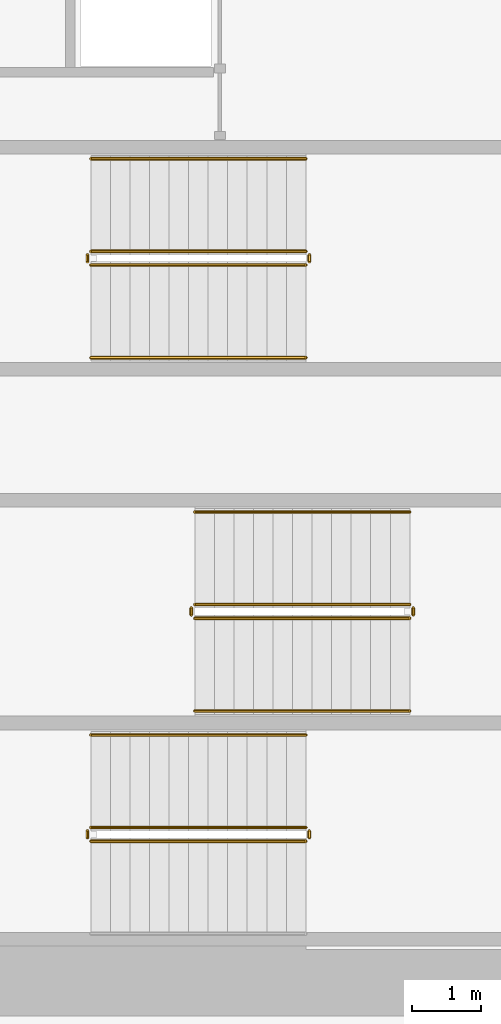
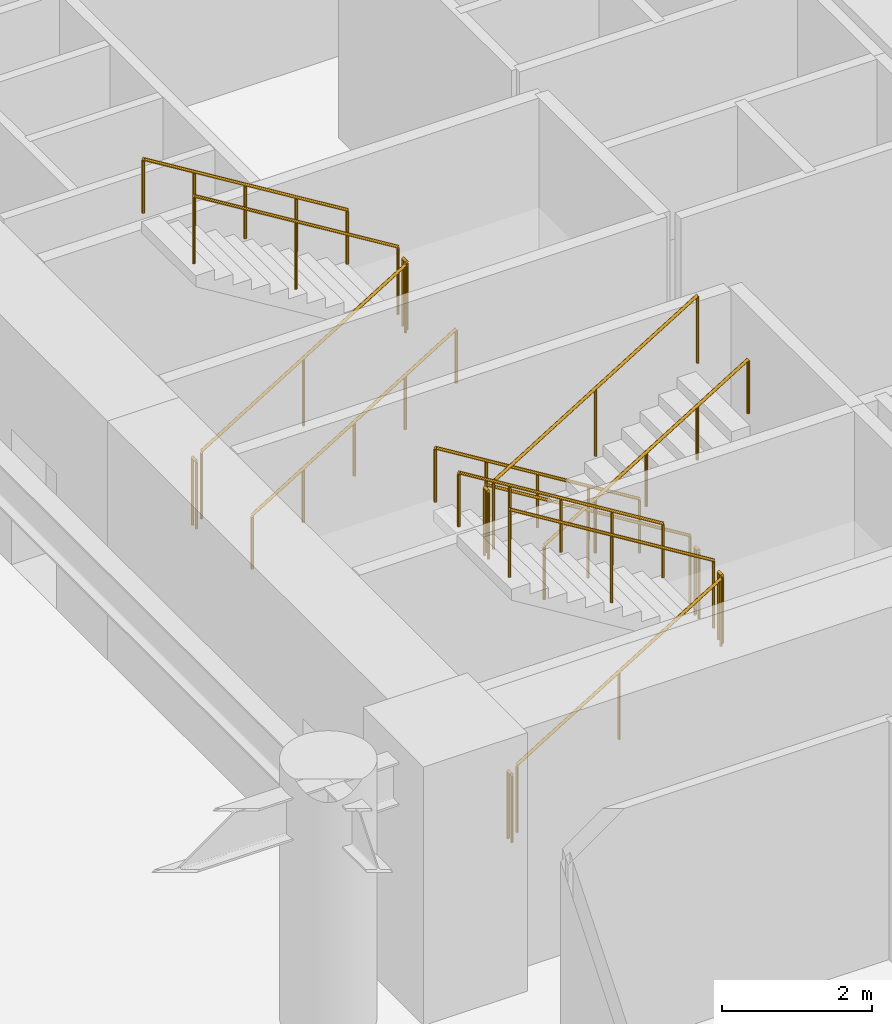
# One storey, part 22 of 25: 17 railings.
"""IFC4 building model written with IfcOpenShell, lengths in metres."""

from ifc_helpers import new_model, si_unit, direction, frame, origin, origin_2d, place, context, subcontext, project, spatial, circle, extrude, material, type_object, element, save


model = new_model("IFC4")

# Units and contexts
model_context = context("Model", 3, precision=1e-05, world=origin(), true_north=direction((0.0, 1.0)))
body_context = subcontext(model_context, "Body", "Model", "MODEL_VIEW")
ifc_project = project(units=[si_unit("LENGTHUNIT", "METRE"), si_unit("AREAUNIT", "SQUARE_METRE"), si_unit("VOLUMEUNIT", "CUBIC_METRE"), si_unit("PLANEANGLEUNIT", "RADIAN"), si_unit("MASSUNIT", "GRAM", prefix="KILO")], contexts=[model_context])

# Site, building, storey
site_placement = place(None, origin())
site = spatial("IfcSite", under=ifc_project, at=site_placement, CompositionType="ELEMENT")
building_placement = place(site_placement, origin())
building = spatial("IfcBuilding", under=site, at=building_placement, Name="Narakoshi Arena Tower", CompositionType="ELEMENT")
storey_placement = place(building_placement, frame((0.0, 0.0, 9.0)))
storey = spatial("IfcBuildingStorey", under=building, at=storey_placement, Name="L02", CompositionType="ELEMENT", Elevation=9.0)

# Railings
ifc_material_1 = material(Name="Clear low-iron laminated structural glass", Category="glass")
railing_type_1 = type_object("IfcRailingType", Name="RL-BAL-1100", PredefinedType="BALUSTRADE", material=ifc_material_1)
railing_1_placement = place(storey_placement, frame((74.39990234375, 36.949951171875, 0.175048828125)))
element("IfcRailing", 1, at=railing_1_placement, inside=storey, type_object=railing_type_1, Name="L02 ST1 stair guard 1", PredefinedType="BALUSTRADE", context=body_context, shape_type="SweptSolid", body=[
    extrude(circle(Radius=0.02392578125, at=origin_2d()), frame((0.0, 0.0, 1.09619140625), z_axis=(0.852166034122, 0.0, 0.523271488128), x_axis=(0.0, 1.0, 0.0)), (0.0, 0.0, 1.0), 3.678955078125),
    extrude(circle(Radius=0.02099609375, at=origin_2d()), origin(), (0.0, 0.0, 1.0), 1.072021484375),
    extrude(circle(Radius=0.02099609375, at=origin_2d()), frame((1.5673828125, 0.0, 0.96240234375)), (0.0, 0.0, 1.0), 1.072021484375),
    extrude(circle(Radius=0.02099609375, at=origin_2d()), frame((3.135009765625, 0.0, 1.925048828125)), (0.0, 0.0, 1.0), 1.072021484375),
])
railing_2_placement = place(storey_placement, frame((77.5849609375, 37.0, 2.10009765625)))
element("IfcRailing", 2, at=railing_2_placement, inside=storey, type_object=railing_type_1, Name="L02 ST1 stair guard 2", PredefinedType="BALUSTRADE", context=body_context, shape_type="SweptSolid", body=[
    extrude(circle(Radius=0.02392578125, at=origin_2d()), frame((0.0, 0.0, 1.09619140625), z_axis=(0.0, 1.0, 0.0), x_axis=(-1.0, 0.0, 0.0)), (0.0, 0.0, 1.0), 0.10009765625),
    extrude(circle(Radius=0.02099609375, at=origin_2d()), origin(), (0.0, 0.0, 1.0), 1.072021484375),
    extrude(circle(Radius=0.02099609375, at=origin_2d()), frame((0.0, 0.10009765625, 0.0)), (0.0, 0.0, 1.0), 1.072021484375),
])
railing_3_placement = place(storey_placement, frame((77.534912109375, 37.14990234375, 2.27490234375)))
element("IfcRailing", 3, at=railing_3_placement, inside=storey, type_object=railing_type_1, Name="L02 ST1 stair guard 3", PredefinedType="BALUSTRADE", context=body_context, shape_type="SweptSolid", body=[
    extrude(circle(Radius=0.02392578125, at=origin_2d()), frame((0.0, 0.0, 1.09619140625), z_axis=(-0.852166034122, 0.0, 0.523271488128), x_axis=(0.0, -1.0, 0.0)), (0.0, 0.0, 1.0), 3.678955078125),
    extrude(circle(Radius=0.02099609375, at=origin_2d()), origin(), (0.0, 0.0, 1.0), 1.072021484375),
    extrude(circle(Radius=0.02099609375, at=origin_2d()), frame((-1.5673828125, 0.0, 0.96240234375)), (0.0, 0.0, 1.0), 1.072021484375),
    extrude(circle(Radius=0.02099609375, at=origin_2d()), frame((-3.135009765625, 0.0, 1.925048828125)), (0.0, 0.0, 1.0), 1.072021484375),
])
railing_4_placement = place(storey_placement, frame((74.35009765625, 37.0, 0.0)))
element("IfcRailing", 4, at=railing_4_placement, inside=storey, type_object=railing_type_1, Name="L02 ST1 stair guard 4", PredefinedType="BALUSTRADE", context=body_context, shape_type="SweptSolid", body=[
    extrude(circle(Radius=0.02392578125, at=origin_2d()), frame((0.0, 0.0, 1.09619140625), z_axis=(0.0, 1.0, 0.0), x_axis=(-1.0, 0.0, 0.0)), (0.0, 0.0, 1.0), 0.10009765625),
    extrude(circle(Radius=0.02099609375, at=origin_2d()), origin(), (0.0, 0.0, 1.0), 1.072021484375),
    extrude(circle(Radius=0.02099609375, at=origin_2d()), frame((0.0, 0.10009765625, 0.0)), (0.0, 0.0, 1.0), 1.072021484375),
])
railing_5_placement = place(storey_placement, frame((79.050048828125, 40.39990234375, 0.175048828125)))
element("IfcRailing", 5, at=railing_5_placement, inside=storey, type_object=railing_type_1, Name="L02 ST2 stair guard 1", PredefinedType="BALUSTRADE", context=body_context, shape_type="SweptSolid", body=[
    extrude(circle(Radius=0.02392578125, at=origin_2d()), frame((0.0, 0.0, 1.09619140625), z_axis=(-0.852166034122, 0.0, 0.523271488128), x_axis=(0.0, -1.0, 0.0)), (0.0, 0.0, 1.0), 3.678955078125),
    extrude(circle(Radius=0.02099609375, at=origin_2d()), origin(), (0.0, 0.0, 1.0), 1.072021484375),
    extrude(circle(Radius=0.02099609375, at=origin_2d()), frame((-1.5673828125, 0.0, 0.96240234375)), (0.0, 0.0, 1.0), 1.072021484375),
    extrude(circle(Radius=0.02099609375, at=origin_2d()), frame((-3.135009765625, 0.0, 1.925048828125)), (0.0, 0.0, 1.0), 1.072021484375),
])
railing_6_placement = place(storey_placement, frame((75.864990234375, 40.35009765625, 2.10009765625)))
element("IfcRailing", 6, at=railing_6_placement, inside=storey, type_object=railing_type_1, Name="L02 ST2 stair guard 2", PredefinedType="BALUSTRADE", context=body_context, shape_type="SweptSolid", body=[
    extrude(circle(Radius=0.02392578125, at=origin_2d()), frame((0.0, 0.0, 1.09619140625), z_axis=(0.0, -1.0, 0.0), x_axis=(1.0, 0.0, 0.0)), (0.0, 0.0, 1.0), 0.10009765625),
    extrude(circle(Radius=0.02099609375, at=origin_2d()), origin(), (0.0, 0.0, 1.0), 1.072021484375),
    extrude(circle(Radius=0.02099609375, at=origin_2d()), frame((0.0, -0.10009765625, 0.0)), (0.0, 0.0, 1.0), 1.072021484375),
])
railing_7_placement = place(storey_placement, frame((75.9150390625, 40.199951171875, 2.27490234375)))
element("IfcRailing", 7, at=railing_7_placement, inside=storey, type_object=railing_type_1, Name="L02 ST2 stair guard 3", PredefinedType="BALUSTRADE", context=body_context, shape_type="SweptSolid", body=[
    extrude(circle(Radius=0.02392578125, at=origin_2d()), frame((0.0, 0.0, 1.09619140625), z_axis=(0.852166034122, 0.0, 0.523271488128), x_axis=(0.0, 1.0, 0.0)), (0.0, 0.0, 1.0), 3.678955078125),
    extrude(circle(Radius=0.02099609375, at=origin_2d()), origin(), (0.0, 0.0, 1.0), 1.072021484375),
    extrude(circle(Radius=0.02099609375, at=origin_2d()), frame((1.5673828125, 0.0, 0.96240234375)), (0.0, 0.0, 1.0), 1.072021484375),
    extrude(circle(Radius=0.02099609375, at=origin_2d()), frame((3.135009765625, 0.0, 1.925048828125)), (0.0, 0.0, 1.0), 1.072021484375),
])
railing_8_placement = place(storey_placement, frame((79.10009765625, 40.35009765625, 0.0)))
element("IfcRailing", 8, at=railing_8_placement, inside=storey, type_object=railing_type_1, Name="L02 ST2 stair guard 4", PredefinedType="BALUSTRADE", context=body_context, shape_type="SweptSolid", body=[
    extrude(circle(Radius=0.02392578125, at=origin_2d()), frame((0.0, 0.0, 1.09619140625), z_axis=(0.0, -1.0, 0.0), x_axis=(1.0, 0.0, 0.0)), (0.0, 0.0, 1.0), 0.10009765625),
    extrude(circle(Radius=0.02099609375, at=origin_2d()), origin(), (0.0, 0.0, 1.0), 1.072021484375),
    extrude(circle(Radius=0.02099609375, at=origin_2d()), frame((0.0, -0.10009765625, 0.0)), (0.0, 0.0, 1.0), 1.072021484375),
])
railing_9_placement = place(storey_placement, frame((74.39990234375, 45.35009765625, 0.175048828125)))
element("IfcRailing", 9, at=railing_9_placement, inside=storey, type_object=railing_type_1, Name="L02 ST3 stair guard 1", PredefinedType="BALUSTRADE", context=body_context, shape_type="SweptSolid", body=[
    extrude(circle(Radius=0.02392578125, at=origin_2d()), frame((0.0, 0.0, 1.09619140625), z_axis=(0.852166034122, 0.0, 0.523271488128), x_axis=(0.0, 1.0, 0.0)), (0.0, 0.0, 1.0), 3.678955078125),
    extrude(circle(Radius=0.02099609375, at=origin_2d()), origin(), (0.0, 0.0, 1.0), 1.072021484375),
    extrude(circle(Radius=0.02099609375, at=origin_2d()), frame((1.5673828125, 0.0, 0.96240234375)), (0.0, 0.0, 1.0), 1.072021484375),
    extrude(circle(Radius=0.02099609375, at=origin_2d()), frame((3.135009765625, 0.0, 1.925048828125)), (0.0, 0.0, 1.0), 1.072021484375),
])
railing_10_placement = place(storey_placement, frame((77.5849609375, 45.39990234375, 2.10009765625)))
element("IfcRailing", 10, at=railing_10_placement, inside=storey, type_object=railing_type_1, Name="L02 ST3 stair guard 2", PredefinedType="BALUSTRADE", context=body_context, shape_type="SweptSolid", body=[
    extrude(circle(Radius=0.02392578125, at=origin_2d()), frame((0.0, 0.0, 1.09619140625), z_axis=(0.0, 1.0, 0.0), x_axis=(-1.0, 0.0, 0.0)), (0.0, 0.0, 1.0), 0.10009765625),
    extrude(circle(Radius=0.02099609375, at=origin_2d()), origin(), (0.0, 0.0, 1.0), 1.072021484375),
    extrude(circle(Radius=0.02099609375, at=origin_2d()), frame((0.0, 0.10009765625, 0.0)), (0.0, 0.0, 1.0), 1.072021484375),
])
railing_11_placement = place(storey_placement, frame((77.534912109375, 45.550048828125, 2.27490234375)))
element("IfcRailing", 11, at=railing_11_placement, inside=storey, type_object=railing_type_1, Name="L02 ST3 stair guard 3", PredefinedType="BALUSTRADE", context=body_context, shape_type="SweptSolid", body=[
    extrude(circle(Radius=0.02392578125, at=origin_2d()), frame((0.0, 0.0, 1.09619140625), z_axis=(-0.852166034122, 0.0, 0.523271488128), x_axis=(0.0, -1.0, 0.0)), (0.0, 0.0, 1.0), 3.678955078125),
    extrude(circle(Radius=0.02099609375, at=origin_2d()), origin(), (0.0, 0.0, 1.0), 1.072021484375),
    extrude(circle(Radius=0.02099609375, at=origin_2d()), frame((-1.5673828125, 0.0, 0.96240234375)), (0.0, 0.0, 1.0), 1.072021484375),
    extrude(circle(Radius=0.02099609375, at=origin_2d()), frame((-3.135009765625, 0.0, 1.925048828125)), (0.0, 0.0, 1.0), 1.072021484375),
])
railing_12_placement = place(storey_placement, frame((74.35009765625, 45.39990234375, 0.0)))
element("IfcRailing", 12, at=railing_12_placement, inside=storey, type_object=railing_type_1, Name="L02 ST3 stair guard 4", PredefinedType="BALUSTRADE", context=body_context, shape_type="SweptSolid", body=[
    extrude(circle(Radius=0.02392578125, at=origin_2d()), frame((0.0, 0.0, 1.09619140625), z_axis=(0.0, 1.0, 0.0), x_axis=(-1.0, 0.0, 0.0)), (0.0, 0.0, 1.0), 0.10009765625),
    extrude(circle(Radius=0.02099609375, at=origin_2d()), origin(), (0.0, 0.0, 1.0), 1.072021484375),
    extrude(circle(Radius=0.02099609375, at=origin_2d()), frame((0.0, 0.10009765625, 0.0)), (0.0, 0.0, 1.0), 1.072021484375),
])
ifc_material_2 = material(Name="Brushed bronze stainless steel", Category="steel")
railing_type_2 = type_object("IfcRailingType", Name="RL-HND-900", PredefinedType="HANDRAIL", material=ifc_material_2)
for number, where, name in (
    (13, (77.534912109375, 38.5, 2.27490234375), "L02 ST1 stair handrail 2"),
    (14, (79.050048828125, 41.75, 0.175048828125), "L02 ST2 stair handrail 1"),
):
    element("IfcRailing", number, at=place(storey_placement, frame(where)), inside=storey, type_object=railing_type_2, Name=name, PredefinedType="HANDRAIL", context=body_context, shape_type="SweptSolid", body=[
        extrude(circle(Radius=0.02392578125, at=origin_2d()), frame((0.0, 0.0, 0.8759765625), z_axis=(-0.852166034122, 0.0, 0.523271488128), x_axis=(0.0, -1.0, 0.0)), (0.0, 0.0, 1.0), 3.678955078125),
        extrude(circle(Radius=0.02099609375, at=origin_2d()), origin(), (0.0, 0.0, 1.0), 0.851806640625),
        extrude(circle(Radius=0.02099609375, at=origin_2d()), frame((-0.78369140625, 0.0, 0.481201171875)), (0.0, 0.0, 1.0), 0.851806640625),
        extrude(circle(Radius=0.02099609375, at=origin_2d()), frame((-1.5673828125, 0.0, 0.96240234375)), (0.0, 0.0, 1.0), 0.851806640625),
        extrude(circle(Radius=0.02099609375, at=origin_2d()), frame((-2.351318359375, 0.0, 1.44384765625)), (0.0, 0.0, 1.0), 0.851806640625),
        extrude(circle(Radius=0.02099609375, at=origin_2d()), frame((-3.135009765625, 0.0, 1.925048828125)), (0.0, 0.0, 1.0), 0.851806640625),
    ])
for number, where, name in (
    (15, (75.9150390625, 38.85009765625, 2.27490234375), "L02 ST2 stair handrail 2"),
    (16, (74.39990234375, 44.0, 0.175048828125), "L02 ST3 stair handrail 1"),
):
    element("IfcRailing", number, at=place(storey_placement, frame(where)), inside=storey, type_object=railing_type_2, Name=name, PredefinedType="HANDRAIL", context=body_context, shape_type="SweptSolid", body=[
        extrude(circle(Radius=0.02392578125, at=origin_2d()), frame((0.0, 0.0, 0.8759765625), z_axis=(0.852166034122, 0.0, 0.523271488128), x_axis=(0.0, 1.0, 0.0)), (0.0, 0.0, 1.0), 3.678955078125),
        extrude(circle(Radius=0.02099609375, at=origin_2d()), origin(), (0.0, 0.0, 1.0), 0.851806640625),
        extrude(circle(Radius=0.02099609375, at=origin_2d()), frame((0.78369140625, 0.0, 0.481201171875)), (0.0, 0.0, 1.0), 0.851806640625),
        extrude(circle(Radius=0.02099609375, at=origin_2d()), frame((1.5673828125, 0.0, 0.96240234375)), (0.0, 0.0, 1.0), 0.851806640625),
        extrude(circle(Radius=0.02099609375, at=origin_2d()), frame((2.351318359375, 0.0, 1.44384765625)), (0.0, 0.0, 1.0), 0.851806640625),
        extrude(circle(Radius=0.02099609375, at=origin_2d()), frame((3.135009765625, 0.0, 1.925048828125)), (0.0, 0.0, 1.0), 0.851806640625),
    ])
railing_13_placement = place(storey_placement, frame((77.534912109375, 46.89990234375, 2.27490234375)))
element("IfcRailing", 17, at=railing_13_placement, inside=storey, type_object=railing_type_2, Name="L02 ST3 stair handrail 2", PredefinedType="HANDRAIL", context=body_context, shape_type="SweptSolid", body=[
    extrude(circle(Radius=0.02392578125, at=origin_2d()), frame((0.0, 0.0, 0.8759765625), z_axis=(-0.852166034122, 0.0, 0.523271488128), x_axis=(0.0, -1.0, 0.0)), (0.0, 0.0, 1.0), 3.678955078125),
    extrude(circle(Radius=0.02099609375, at=origin_2d()), origin(), (0.0, 0.0, 1.0), 0.851806640625),
    extrude(circle(Radius=0.02099609375, at=origin_2d()), frame((-0.78369140625, 0.0, 0.481201171875)), (0.0, 0.0, 1.0), 0.851806640625),
    extrude(circle(Radius=0.02099609375, at=origin_2d()), frame((-1.5673828125, 0.0, 0.96240234375)), (0.0, 0.0, 1.0), 0.851806640625),
    extrude(circle(Radius=0.02099609375, at=origin_2d()), frame((-2.351318359375, 0.0, 1.44384765625)), (0.0, 0.0, 1.0), 0.851806640625),
    extrude(circle(Radius=0.02099609375, at=origin_2d()), frame((-3.135009765625, 0.0, 1.925048828125)), (0.0, 0.0, 1.0), 0.851806640625),
])

save(model, "model.ifc")
